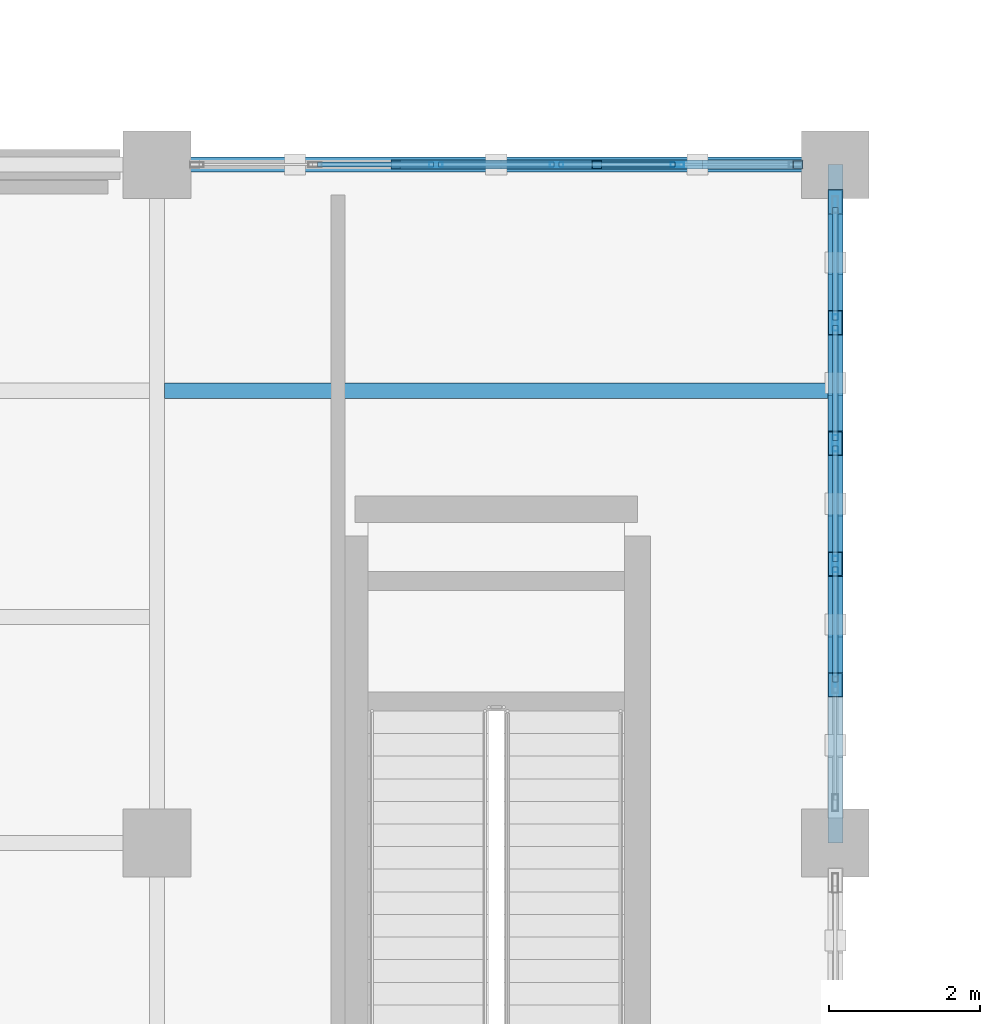
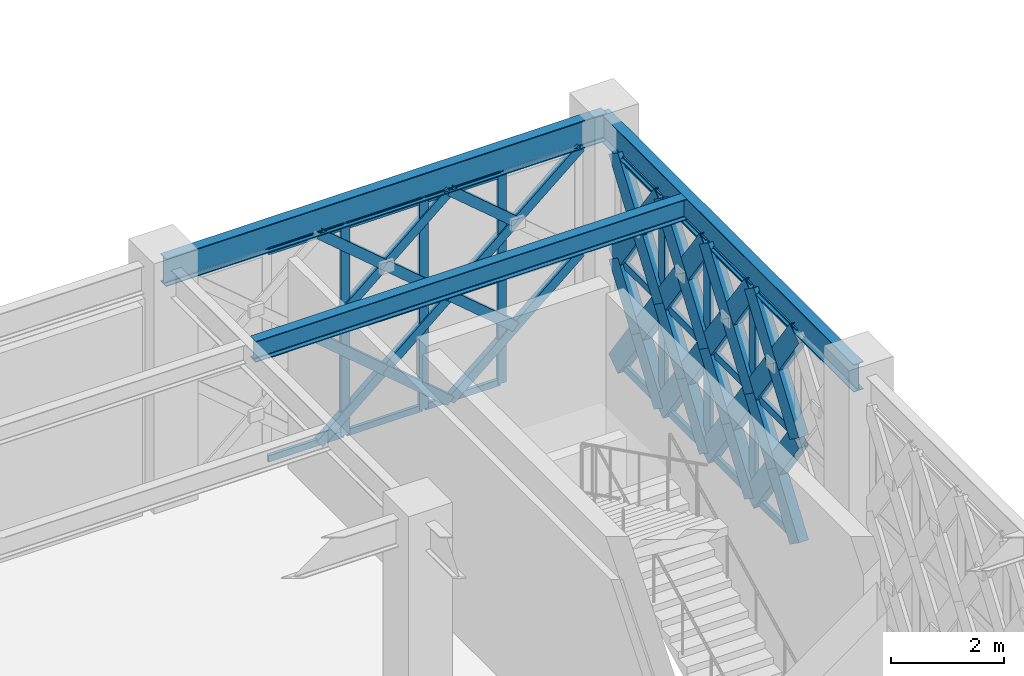
# One storey, part 25 of 166: 61 members, 3 beams, 2 elements without a shape of their own.
"""IFC4 building model written with IfcOpenShell, lengths in metres."""

from ifc_helpers import new_model, si_unit, direction, frame, origin, origin_2d, place, context, subcontext, project, spatial, hollow_rectangle, i_section, extrude, material, material_profile, profile_set, type_object, element, aggregate, save


model = new_model("IFC4")

# Units and contexts
model_context = context("Model", 3, precision=1e-05, world=origin(), true_north=direction((0.0, 1.0)))
body_context = subcontext(model_context, "Body", "Model", "MODEL_VIEW")
ifc_project = project(units=[si_unit("LENGTHUNIT", "METRE"), si_unit("AREAUNIT", "SQUARE_METRE"), si_unit("VOLUMEUNIT", "CUBIC_METRE"), si_unit("PLANEANGLEUNIT", "RADIAN"), si_unit("MASSUNIT", "GRAM", prefix="KILO")], contexts=[model_context])

# Site, building, storey
site_placement = place(None, origin())
site = spatial("IfcSite", under=ifc_project, at=site_placement, CompositionType="ELEMENT")
building_placement = place(site_placement, origin())
building = spatial("IfcBuilding", under=site, at=building_placement, Name="Haizhuo Lancet Aquarium", CompositionType="ELEMENT")
storey_placement = place(building_placement, frame((0.0, 0.0, 5.39990234375)))
storey = spatial("IfcBuildingStorey", under=building, at=storey_placement, Name="L01", CompositionType="ELEMENT", Elevation=5.39990234375)

# Beams
ifc_material_1 = material(Name="Steel S355", Category="steel")
ifc_material_profile_1 = material_profile(ifc_material_1, i_section(OverallWidth=0.199951171875, OverallDepth=0.60009765625, WebThickness=0.010986328125, FlangeThickness=0.01708984375, FilletRadius=0.02197265625, at=origin_2d()), Name="HN 600x200x11x17")
ifc_profile_set_1 = profile_set([ifc_material_profile_1], Name="Steel S355")
beam_type_1 = type_object("IfcBeamType", Name="BM-ST-HN600", PredefinedType="BEAM", material=ifc_profile_set_1)
for number, where, z_axis, x_axis, name in (
    (1, (-45.0, -9.0, 4.840087890625), (1.0, 0.0, 0.0), (0.0, 1.0, 0.0), "L01 V6 primary girder BM-L01-V6-026"),
    (2, (-36.0, -18.0, 4.840087890625), (0.0, 1.0, 0.0), (-1.0, 0.0, 0.0), "L01 V6 primary girder BM-L01-V6-029"),
):
    element("IfcBeam", number, at=place(storey_placement, frame(where, z_axis=z_axis, x_axis=x_axis)), inside=storey, type_object=beam_type_1, Name=name, PredefinedType="BEAM", context=body_context, shape_type="SweptSolid", body=[
        extrude(i_section(OverallWidth=0.199951171875, OverallDepth=0.60009765625, WebThickness=0.010986328125, FlangeThickness=0.01708984375, FilletRadius=0.02197265625, at=origin_2d()), origin(), (0.0, 0.0, 1.0), 9.0),
    ])

# Curtain wall, members
ifc_material_2 = material(Name="Aluminium 6063-T6", Category="aluminium")
curtain_wall_type_1 = type_object("IfcCurtainWallType", Name="CWO-8010x4540", PredefinedType="NOTDEFINED", material=ifc_material_2)
curtain_wall_1_placement = place(storey_placement, origin())
curtain_wall_1 = element("IfcCurtainWall", 3, at=curtain_wall_1_placement, inside=storey, type_object=curtain_wall_type_1, Name="L01 curtain wall CW-V6-L01-205", PredefinedType="NOTDEFINED")
ifc_material_profile_2 = material_profile(ifc_material_2, hollow_rectangle(XDim=0.06494140625, YDim=0.179931640625, WallThickness=0.00390625, at=origin_2d()), Name="ALU-M 65x180x4")
ifc_profile_set_2 = profile_set([ifc_material_profile_2], Name="Aluminium 6063-T6")
member_type_1 = type_object("IfcMemberType", Name="CW-MUL-1", PredefinedType="MULLION", material=ifc_profile_set_2)
member_1_placement = place(storey_placement, frame((-41.301025390625, -9.0, 0.0), z_axis=(0.0, 0.0, 1.0), x_axis=(0.0, 1.0, 0.0)))
member_1 = element("IfcMember", 4, at=member_1_placement, type_object=member_type_1, Name="CWO-80x45 mullion 3", PredefinedType="MULLION", context=body_context, shape_type="SweptSolid", body=[
    extrude(hollow_rectangle(XDim=0.06494140625, YDim=0.179931640625, WallThickness=0.00390625, at=origin_2d()), origin(), (0.0, 0.0, 1.0), 4.5400390625),
])
member_2_placement = place(storey_placement, frame((-39.698974609375, -9.0, 0.0), z_axis=(0.0, 0.0, 1.0), x_axis=(0.0, 1.0, 0.0)))
member_2 = element("IfcMember", 5, at=member_2_placement, type_object=member_type_1, Name="CWO-80x45 mullion 4", PredefinedType="MULLION", context=body_context, shape_type="SweptSolid", body=[
    extrude(hollow_rectangle(XDim=0.06494140625, YDim=0.179931640625, WallThickness=0.00390625, at=origin_2d()), origin(), (0.0, 0.0, 1.0), 4.5400390625),
])
member_3_placement = place(storey_placement, frame((-38.096923828125, -9.0, 0.0), z_axis=(0.0, 0.0, 1.0), x_axis=(0.0, 1.0, 0.0)))
member_3 = element("IfcMember", 6, at=member_3_placement, type_object=member_type_1, Name="CWO-80x45 mullion 5", PredefinedType="MULLION", context=body_context, shape_type="SweptSolid", body=[
    extrude(hollow_rectangle(XDim=0.06494140625, YDim=0.179931640625, WallThickness=0.00390625, at=origin_2d()), origin(), (0.0, 0.0, 1.0), 4.5400390625),
])

curtain_wall_type_2 = type_object("IfcCurtainWallType", Name="CWD-8010x4540", PredefinedType="NOTDEFINED", material=ifc_material_2)
curtain_wall_2_placement = place(storey_placement, origin())
curtain_wall_2 = element("IfcCurtainWall", 7, at=curtain_wall_2_placement, inside=storey, type_object=curtain_wall_type_2, Name="L01 curtain wall CW-V6-L01-206", PredefinedType="NOTDEFINED")
ifc_material_profile_3 = material_profile(ifc_material_2, hollow_rectangle(XDim=0.074951171875, YDim=0.219970703125, WallThickness=0.0048828125, at=origin_2d()), Name="ALU-M 75x220x5")
ifc_profile_set_3 = profile_set([ifc_material_profile_3], Name="Aluminium 6063-T6")
member_type_2 = type_object("IfcMemberType", Name="CW-MUL-2", PredefinedType="MULLION", material=ifc_profile_set_3)
member_4_placement = place(storey_placement, frame((-36.0, -11.096923828125, 0.0), z_axis=(0.0, 0.0, 1.0), x_axis=(1.0, 0.0, 0.0)))
member_4 = element("IfcMember", 8, at=member_4_placement, type_object=member_type_2, Name="CWD-80x45 mullion 2", PredefinedType="MULLION", context=body_context, shape_type="SweptSolid", body=[
    extrude(hollow_rectangle(XDim=0.074951171875, YDim=0.219970703125, WallThickness=0.0048828125, at=origin_2d()), origin(), (0.0, 0.0, 1.0), 4.5400390625),
])
member_5_placement = place(storey_placement, frame((-36.0, -12.698974609375, 0.0), z_axis=(0.0, 0.0, 1.0), x_axis=(1.0, 0.0, 0.0)))
member_5 = element("IfcMember", 9, at=member_5_placement, type_object=member_type_2, Name="CWD-80x45 mullion 3", PredefinedType="MULLION", context=body_context, shape_type="SweptSolid", body=[
    extrude(hollow_rectangle(XDim=0.074951171875, YDim=0.219970703125, WallThickness=0.0048828125, at=origin_2d()), origin(), (0.0, 0.0, 1.0), 4.5400390625),
])
member_6_placement = place(storey_placement, frame((-36.0, -14.301025390625, 0.0), z_axis=(0.0, 0.0, 1.0), x_axis=(1.0, 0.0, 0.0)))
member_6 = element("IfcMember", 10, at=member_6_placement, type_object=member_type_2, Name="CWD-80x45 mullion 4", PredefinedType="MULLION", context=body_context, shape_type="SweptSolid", body=[
    extrude(hollow_rectangle(XDim=0.074951171875, YDim=0.219970703125, WallThickness=0.0048828125, at=origin_2d()), origin(), (0.0, 0.0, 1.0), 4.5400390625),
])

# Member
ifc_material_profile_4 = material_profile(ifc_material_2, hollow_rectangle(XDim=0.06494140625, YDim=0.139892578125, WallThickness=0.00390625, at=origin_2d()), Name="ALU-T 65x140x4")
ifc_profile_set_4 = profile_set([ifc_material_profile_4], Name="Aluminium 6063-T6")
member_type_3 = type_object("IfcMemberType", Name="CW-TRN-1", PredefinedType="NOTDEFINED", material=ifc_profile_set_4)
member_7_placement = place(storey_placement, frame((-42.8701171875, -9.0, 0.033203125), z_axis=(1.0, 0.0, 0.0), x_axis=(0.0, 1.0, 0.0)))
member_7 = element("IfcMember", 11, at=member_7_placement, type_object=member_type_3, Name="CWO-80x45 transom 2.1", ObjectType="TRANSOM", PredefinedType="USERDEFINED", context=body_context, shape_type="SweptSolid", body=[
    extrude(hollow_rectangle(XDim=0.06494140625, YDim=0.139892578125, WallThickness=0.00390625, at=origin_2d()), origin(), (0.0, 0.0, 1.0), 1.5361328125),
])

member_8_placement = place(storey_placement, frame((-42.8701171875, -9.0, 2.27001953125), z_axis=(1.0, 0.0, 0.0), x_axis=(0.0, 1.0, 0.0)))
member_8 = element("IfcMember", 12, at=member_8_placement, type_object=member_type_3, Name="CWO-80x45 transom 2.2", ObjectType="TRANSOM", PredefinedType="USERDEFINED", context=body_context, shape_type="SweptSolid", body=[
    extrude(hollow_rectangle(XDim=0.06494140625, YDim=0.139892578125, WallThickness=0.00390625, at=origin_2d()), origin(), (0.0, 0.0, 1.0), 1.5361328125),
])

member_9_placement = place(storey_placement, frame((-42.8701171875, -9.0, 4.507080078125), z_axis=(1.0, 0.0, 0.0), x_axis=(0.0, 1.0, 0.0)))
member_9 = element("IfcMember", 13, at=member_9_placement, type_object=member_type_3, Name="CWO-80x45 transom 2.3", ObjectType="TRANSOM", PredefinedType="USERDEFINED", context=body_context, shape_type="SweptSolid", body=[
    extrude(hollow_rectangle(XDim=0.06494140625, YDim=0.139892578125, WallThickness=0.00390625, at=origin_2d()), origin(), (0.0, 0.0, 1.0), 1.5361328125),
])

member_10_placement = place(storey_placement, frame((-41.26904296875, -9.0, 0.033203125), z_axis=(1.0, 0.0, 0.0), x_axis=(0.0, 1.0, 0.0)))
member_10 = element("IfcMember", 14, at=member_10_placement, type_object=member_type_3, Name="CWO-80x45 transom 3.1", ObjectType="TRANSOM", PredefinedType="USERDEFINED", context=body_context, shape_type="SweptSolid", body=[
    extrude(hollow_rectangle(XDim=0.06494140625, YDim=0.139892578125, WallThickness=0.00390625, at=origin_2d()), origin(), (0.0, 0.0, 1.0), 1.5380859375),
])

member_11_placement = place(storey_placement, frame((-41.26904296875, -9.0, 2.27001953125), z_axis=(1.0, 0.0, 0.0), x_axis=(0.0, 1.0, 0.0)))
member_11 = element("IfcMember", 15, at=member_11_placement, type_object=member_type_3, Name="CWO-80x45 transom 3.2", ObjectType="TRANSOM", PredefinedType="USERDEFINED", context=body_context, shape_type="SweptSolid", body=[
    extrude(hollow_rectangle(XDim=0.06494140625, YDim=0.139892578125, WallThickness=0.00390625, at=origin_2d()), origin(), (0.0, 0.0, 1.0), 1.5380859375),
])

member_12_placement = place(storey_placement, frame((-41.26904296875, -9.0, 4.507080078125), z_axis=(1.0, 0.0, 0.0), x_axis=(0.0, 1.0, 0.0)))
member_12 = element("IfcMember", 16, at=member_12_placement, type_object=member_type_3, Name="CWO-80x45 transom 3.3", ObjectType="TRANSOM", PredefinedType="USERDEFINED", context=body_context, shape_type="SweptSolid", body=[
    extrude(hollow_rectangle(XDim=0.06494140625, YDim=0.139892578125, WallThickness=0.00390625, at=origin_2d()), origin(), (0.0, 0.0, 1.0), 1.5380859375),
])

member_13_placement = place(storey_placement, frame((-39.666015625, -9.0, 0.033203125), z_axis=(1.0, 0.0, 0.0), x_axis=(0.0, 1.0, 0.0)))
member_13 = element("IfcMember", 17, at=member_13_placement, type_object=member_type_3, Name="CWO-80x45 transom 4.1", ObjectType="TRANSOM", PredefinedType="USERDEFINED", context=body_context, shape_type="SweptSolid", body=[
    extrude(hollow_rectangle(XDim=0.06494140625, YDim=0.139892578125, WallThickness=0.00390625, at=origin_2d()), origin(), (0.0, 0.0, 1.0), 1.5361328125),
])

member_14_placement = place(storey_placement, frame((-39.666015625, -9.0, 2.27001953125), z_axis=(1.0, 0.0, 0.0), x_axis=(0.0, 1.0, 0.0)))
member_14 = element("IfcMember", 18, at=member_14_placement, type_object=member_type_3, Name="CWO-80x45 transom 4.2", ObjectType="TRANSOM", PredefinedType="USERDEFINED", context=body_context, shape_type="SweptSolid", body=[
    extrude(hollow_rectangle(XDim=0.06494140625, YDim=0.139892578125, WallThickness=0.00390625, at=origin_2d()), origin(), (0.0, 0.0, 1.0), 1.5361328125),
])

member_15_placement = place(storey_placement, frame((-39.666015625, -9.0, 4.507080078125), z_axis=(1.0, 0.0, 0.0), x_axis=(0.0, 1.0, 0.0)))
member_15 = element("IfcMember", 19, at=member_15_placement, type_object=member_type_3, Name="CWO-80x45 transom 4.3", ObjectType="TRANSOM", PredefinedType="USERDEFINED", context=body_context, shape_type="SweptSolid", body=[
    extrude(hollow_rectangle(XDim=0.06494140625, YDim=0.139892578125, WallThickness=0.00390625, at=origin_2d()), origin(), (0.0, 0.0, 1.0), 1.5361328125),
])

aggregate(curtain_wall_1, [member_1, member_2, member_3, member_7, member_8, member_9, member_10, member_11, member_12, member_13, member_14, member_15])

ifc_material_profile_5 = material_profile(ifc_material_2, hollow_rectangle(XDim=0.074951171875, YDim=0.159912109375, WallThickness=0.00390625, at=origin_2d()), Name="ALU-T 75x160x4")
ifc_profile_set_5 = profile_set([ifc_material_profile_5], Name="Aluminium 6063-T6")
member_type_4 = type_object("IfcMemberType", Name="CW-TRN-2", PredefinedType="NOTDEFINED", material=ifc_profile_set_5)
member_16_placement = place(storey_placement, frame((-36.0, -9.570068359375, 0.0380859375), z_axis=(0.0, -1.0, 0.0), x_axis=(1.0, 0.0, 0.0)))
member_16 = element("IfcMember", 20, at=member_16_placement, type_object=member_type_4, Name="CWD-80x45 transom 1.1", ObjectType="TRANSOM", PredefinedType="USERDEFINED", context=body_context, shape_type="SweptSolid", body=[
    extrude(hollow_rectangle(XDim=0.074951171875, YDim=0.159912109375, WallThickness=0.00390625, at=origin_2d()), origin(), (0.0, 0.0, 1.0), 1.489013671875),
])

member_17_placement = place(storey_placement, frame((-36.0, -9.570068359375, 2.27001953125), z_axis=(0.0, -1.0, 0.0), x_axis=(1.0, 0.0, 0.0)))
member_17 = element("IfcMember", 21, at=member_17_placement, type_object=member_type_4, Name="CWD-80x45 transom 1.2", ObjectType="TRANSOM", PredefinedType="USERDEFINED", context=body_context, shape_type="SweptSolid", body=[
    extrude(hollow_rectangle(XDim=0.074951171875, YDim=0.159912109375, WallThickness=0.00390625, at=origin_2d()), origin(), (0.0, 0.0, 1.0), 1.489013671875),
])

member_18_placement = place(storey_placement, frame((-36.0, -9.570068359375, 4.502197265625), z_axis=(0.0, -1.0, 0.0), x_axis=(1.0, 0.0, 0.0)))
member_18 = element("IfcMember", 22, at=member_18_placement, type_object=member_type_4, Name="CWD-80x45 transom 1.3", ObjectType="TRANSOM", PredefinedType="USERDEFINED", context=body_context, shape_type="SweptSolid", body=[
    extrude(hollow_rectangle(XDim=0.074951171875, YDim=0.159912109375, WallThickness=0.00390625, at=origin_2d()), origin(), (0.0, 0.0, 1.0), 1.489013671875),
])

member_19_placement = place(storey_placement, frame((-36.0, -11.134033203125, 0.0380859375), z_axis=(0.0, -1.0, 0.0), x_axis=(1.0, 0.0, 0.0)))
member_19 = element("IfcMember", 23, at=member_19_placement, type_object=member_type_4, Name="CWD-80x45 transom 2.1", ObjectType="TRANSOM", PredefinedType="USERDEFINED", context=body_context, shape_type="SweptSolid", body=[
    extrude(hollow_rectangle(XDim=0.074951171875, YDim=0.159912109375, WallThickness=0.00390625, at=origin_2d()), origin(), (0.0, 0.0, 1.0), 1.52685546875),
])

member_20_placement = place(storey_placement, frame((-36.0, -11.134033203125, 2.27001953125), z_axis=(0.0, -1.0, 0.0), x_axis=(1.0, 0.0, 0.0)))
member_20 = element("IfcMember", 24, at=member_20_placement, type_object=member_type_4, Name="CWD-80x45 transom 2.2", ObjectType="TRANSOM", PredefinedType="USERDEFINED", context=body_context, shape_type="SweptSolid", body=[
    extrude(hollow_rectangle(XDim=0.074951171875, YDim=0.159912109375, WallThickness=0.00390625, at=origin_2d()), origin(), (0.0, 0.0, 1.0), 1.52685546875),
])

member_21_placement = place(storey_placement, frame((-36.0, -11.134033203125, 4.502197265625), z_axis=(0.0, -1.0, 0.0), x_axis=(1.0, 0.0, 0.0)))
member_21 = element("IfcMember", 25, at=member_21_placement, type_object=member_type_4, Name="CWD-80x45 transom 2.3", ObjectType="TRANSOM", PredefinedType="USERDEFINED", context=body_context, shape_type="SweptSolid", body=[
    extrude(hollow_rectangle(XDim=0.074951171875, YDim=0.159912109375, WallThickness=0.00390625, at=origin_2d()), origin(), (0.0, 0.0, 1.0), 1.52685546875),
])

member_22_placement = place(storey_placement, frame((-36.0, -12.736083984375, 0.0380859375), z_axis=(0.0, -1.0, 0.0), x_axis=(1.0, 0.0, 0.0)))
member_22 = element("IfcMember", 26, at=member_22_placement, type_object=member_type_4, Name="CWD-80x45 transom 3.1", ObjectType="TRANSOM", PredefinedType="USERDEFINED", context=body_context, shape_type="SweptSolid", body=[
    extrude(hollow_rectangle(XDim=0.074951171875, YDim=0.159912109375, WallThickness=0.00390625, at=origin_2d()), origin(), (0.0, 0.0, 1.0), 1.52685546875),
])

member_23_placement = place(storey_placement, frame((-36.0, -12.736083984375, 2.27001953125), z_axis=(0.0, -1.0, 0.0), x_axis=(1.0, 0.0, 0.0)))
member_23 = element("IfcMember", 27, at=member_23_placement, type_object=member_type_4, Name="CWD-80x45 transom 3.2", ObjectType="TRANSOM", PredefinedType="USERDEFINED", context=body_context, shape_type="SweptSolid", body=[
    extrude(hollow_rectangle(XDim=0.074951171875, YDim=0.159912109375, WallThickness=0.00390625, at=origin_2d()), origin(), (0.0, 0.0, 1.0), 1.52685546875),
])

member_24_placement = place(storey_placement, frame((-36.0, -12.736083984375, 4.502197265625), z_axis=(0.0, -1.0, 0.0), x_axis=(1.0, 0.0, 0.0)))
member_24 = element("IfcMember", 28, at=member_24_placement, type_object=member_type_4, Name="CWD-80x45 transom 3.3", ObjectType="TRANSOM", PredefinedType="USERDEFINED", context=body_context, shape_type="SweptSolid", body=[
    extrude(hollow_rectangle(XDim=0.074951171875, YDim=0.159912109375, WallThickness=0.00390625, at=origin_2d()), origin(), (0.0, 0.0, 1.0), 1.52685546875),
])

member_25_placement = place(storey_placement, frame((-36.0, -14.337890625, 0.0380859375), z_axis=(0.0, -1.0, 0.0), x_axis=(1.0, 0.0, 0.0)))
member_25 = element("IfcMember", 29, at=member_25_placement, type_object=member_type_4, Name="CWD-80x45 transom 4.1", ObjectType="TRANSOM", PredefinedType="USERDEFINED", context=body_context, shape_type="SweptSolid", body=[
    extrude(hollow_rectangle(XDim=0.074951171875, YDim=0.159912109375, WallThickness=0.00390625, at=origin_2d()), origin(), (0.0, 0.0, 1.0), 1.527099609375),
])

member_26_placement = place(storey_placement, frame((-36.0, -14.337890625, 2.27001953125), z_axis=(0.0, -1.0, 0.0), x_axis=(1.0, 0.0, 0.0)))
member_26 = element("IfcMember", 30, at=member_26_placement, type_object=member_type_4, Name="CWD-80x45 transom 4.2", ObjectType="TRANSOM", PredefinedType="USERDEFINED", context=body_context, shape_type="SweptSolid", body=[
    extrude(hollow_rectangle(XDim=0.074951171875, YDim=0.159912109375, WallThickness=0.00390625, at=origin_2d()), origin(), (0.0, 0.0, 1.0), 1.527099609375),
])

member_27_placement = place(storey_placement, frame((-36.0, -14.337890625, 4.502197265625), z_axis=(0.0, -1.0, 0.0), x_axis=(1.0, 0.0, 0.0)))
member_27 = element("IfcMember", 31, at=member_27_placement, type_object=member_type_4, Name="CWD-80x45 transom 4.3", ObjectType="TRANSOM", PredefinedType="USERDEFINED", context=body_context, shape_type="SweptSolid", body=[
    extrude(hollow_rectangle(XDim=0.074951171875, YDim=0.159912109375, WallThickness=0.00390625, at=origin_2d()), origin(), (0.0, 0.0, 1.0), 1.527099609375),
])

aggregate(curtain_wall_2, [member_4, member_5, member_6, member_16, member_17, member_18, member_19, member_20, member_21, member_22, member_23, member_24, member_25, member_26, member_27])

# Beam
ifc_material_profile_6 = material_profile(ifc_material_1, i_section(OverallWidth=0.199951171875, OverallDepth=0.449951171875, WebThickness=0.009033203125, FlangeThickness=0.013916015625, FilletRadius=0.01806640625, at=origin_2d()), Name="HN 450x200x9x14")
ifc_profile_set_6 = profile_set([ifc_material_profile_6], Name="Steel S355")
beam_type_2 = type_object("IfcBeamType", Name="JST-ST-HN450", PredefinedType="JOIST", material=ifc_profile_set_6)
beam_placement = place(storey_placement, frame((-44.89990234375, -12.0, 4.9150390625), z_axis=(1.0, 0.0, 0.0), x_axis=(0.0, 1.0, 0.0)))
element("IfcBeam", 32, at=beam_placement, inside=storey, type_object=beam_type_2, Name="L01 V6 secondary floor joist 19", PredefinedType="JOIST", context=body_context, shape_type="SweptSolid", body=[
    extrude(i_section(OverallWidth=0.199951171875, OverallDepth=0.449951171875, WebThickness=0.009033203125, FlangeThickness=0.013916015625, FilletRadius=0.01806640625, at=origin_2d()), origin(), (0.0, 0.0, 1.0), 8.7998046875),
])

# Members
ifc_material_profile_7 = material_profile(ifc_material_1, hollow_rectangle(XDim=0.1201171875, YDim=0.199951171875, WallThickness=0.008056640625, at=origin_2d()), Name="RHS 120x200x8")
ifc_profile_set_7 = profile_set([ifc_material_profile_7], Name="Steel S355")
member_type_5 = type_object("IfcMemberType", Name="MEM-LB-RHS120x200", PredefinedType="BRACE", material=ifc_profile_set_7)
member_28_placement = place(storey_placement, frame((-41.8349609375, -9.0, 0.0), z_axis=(0.761856805528, 0.0, 0.647745480779), x_axis=(0.0, 1.0, 0.0)))
element("IfcMember", 33, at=member_28_placement, inside=storey, type_object=member_type_5, Name="Gothic lancet continuous diagonal brace CW-V6-L01-205 3A", PredefinedType="BRACE", context=body_context, shape_type="SweptSolid", body=[
    extrude(hollow_rectangle(XDim=0.1201171875, YDim=0.199951171875, WallThickness=0.008056640625, at=origin_2d()), origin(), (0.0, 0.0, 1.0), 3.50439453125),
])
for number, where, z_axis, x_axis, name in (
    (34, (-39.1650390625, -9.0, 0.0), (-0.761856805528, 0.0, 0.647745480779), (0.0, -1.0, 0.0), "Gothic lancet split diagonal brace CW-V6-L01-205 3B1"),
    (35, (-40.5, -9.0, 1.135009765625), (-0.761856805528, 0.0, 0.647745480779), (0.0, -1.0, 0.0), "Gothic lancet split diagonal brace CW-V6-L01-205 3B2"),
):
    element("IfcMember", number, at=place(storey_placement, frame(where, z_axis=z_axis, x_axis=x_axis)), inside=storey, type_object=member_type_5, Name=name, PredefinedType="BRACE", context=body_context, shape_type="SweptSolid", body=[
        extrude(hollow_rectangle(XDim=0.1201171875, YDim=0.199951171875, WallThickness=0.008056640625, at=origin_2d()), origin(), (0.0, 0.0, 1.0), 1.752197265625),
    ])
member_29_placement = place(storey_placement, frame((-41.8349609375, -9.0, 2.27001953125), z_axis=(0.761856805528, 0.0, 0.647745480779), x_axis=(0.0, 1.0, 0.0)))
element("IfcMember", 36, at=member_29_placement, inside=storey, type_object=member_type_5, Name="Gothic lancet continuous diagonal brace CW-V6-L01-205 4A", PredefinedType="BRACE", context=body_context, shape_type="SweptSolid", body=[
    extrude(hollow_rectangle(XDim=0.1201171875, YDim=0.199951171875, WallThickness=0.008056640625, at=origin_2d()), origin(), (0.0, 0.0, 1.0), 3.50439453125),
])
for number, where, z_axis, x_axis, name in (
    (37, (-39.1650390625, -9.0, 2.27001953125), (-0.761856805528, 0.0, 0.647745480779), (0.0, -1.0, 0.0), "Gothic lancet split diagonal brace CW-V6-L01-205 4B1"),
    (38, (-40.5, -9.0, 3.405029296875), (-0.761856805528, 0.0, 0.647745480779), (0.0, -1.0, 0.0), "Gothic lancet split diagonal brace CW-V6-L01-205 4B2"),
):
    element("IfcMember", number, at=place(storey_placement, frame(where, z_axis=z_axis, x_axis=x_axis)), inside=storey, type_object=member_type_5, Name=name, PredefinedType="BRACE", context=body_context, shape_type="SweptSolid", body=[
        extrude(hollow_rectangle(XDim=0.1201171875, YDim=0.199951171875, WallThickness=0.008056640625, at=origin_2d()), origin(), (0.0, 0.0, 1.0), 1.752197265625),
    ])
member_30_placement = place(storey_placement, frame((-39.1650390625, -9.0, 0.0), z_axis=(0.761856805528, 0.0, 0.647745480779), x_axis=(0.0, 1.0, 0.0)))
element("IfcMember", 39, at=member_30_placement, inside=storey, type_object=member_type_5, Name="Gothic lancet continuous diagonal brace CW-V6-L01-205 5A", PredefinedType="BRACE", context=body_context, shape_type="SweptSolid", body=[
    extrude(hollow_rectangle(XDim=0.1201171875, YDim=0.199951171875, WallThickness=0.008056640625, at=origin_2d()), origin(), (0.0, 0.0, 1.0), 3.50439453125),
])
member_31_placement = place(storey_placement, frame((-37.830078125, -9.0, 1.135009765625), z_axis=(-0.761856805528, 0.0, 0.647745480779), x_axis=(0.0, -1.0, 0.0)))
element("IfcMember", 40, at=member_31_placement, inside=storey, type_object=member_type_5, Name="Gothic lancet split diagonal brace CW-V6-L01-205 5B2", PredefinedType="BRACE", context=body_context, shape_type="SweptSolid", body=[
    extrude(hollow_rectangle(XDim=0.1201171875, YDim=0.199951171875, WallThickness=0.008056640625, at=origin_2d()), origin(), (0.0, 0.0, 1.0), 1.752197265625),
])
member_32_placement = place(storey_placement, frame((-39.1650390625, -9.0, 2.27001953125), z_axis=(0.761856805528, 0.0, 0.647745480779), x_axis=(0.0, 1.0, 0.0)))
element("IfcMember", 41, at=member_32_placement, inside=storey, type_object=member_type_5, Name="Gothic lancet continuous diagonal brace CW-V6-L01-205 6A", PredefinedType="BRACE", context=body_context, shape_type="SweptSolid", body=[
    extrude(hollow_rectangle(XDim=0.1201171875, YDim=0.199951171875, WallThickness=0.008056640625, at=origin_2d()), origin(), (0.0, 0.0, 1.0), 3.50439453125),
])
member_33_placement = place(storey_placement, frame((-37.830078125, -9.0, 3.405029296875), z_axis=(-0.761856805528, 0.0, 0.647745480779), x_axis=(0.0, -1.0, 0.0)))
element("IfcMember", 42, at=member_33_placement, inside=storey, type_object=member_type_5, Name="Gothic lancet split diagonal brace CW-V6-L01-205 6B2", PredefinedType="BRACE", context=body_context, shape_type="SweptSolid", body=[
    extrude(hollow_rectangle(XDim=0.1201171875, YDim=0.199951171875, WallThickness=0.008056640625, at=origin_2d()), origin(), (0.0, 0.0, 1.0), 1.752197265625),
])
ifc_material_profile_8 = material_profile(ifc_material_1, hollow_rectangle(XDim=0.199951171875, YDim=0.39990234375, WallThickness=0.011962890625, at=origin_2d()), Name="RHS 200x400x12")
ifc_profile_set_8 = profile_set([ifc_material_profile_8], Name="Steel S355")
member_type_6 = type_object("IfcMemberType", Name="MEM-LB-RHS200x400", PredefinedType="BRACE", material=ifc_profile_set_8)
member_34_placement = place(storey_placement, frame((-36.0, -9.4951171875, 0.0), z_axis=(0.0, -0.576548637348, 0.81706283037), x_axis=(1.0, 0.0, 0.0)))
element("IfcMember", 43, at=member_34_placement, inside=storey, type_object=member_type_6, Name="Gothic lancet continuous diagonal brace CW-V6-L01-206 1A", PredefinedType="BRACE", context=body_context, shape_type="SweptSolid", body=[
    extrude(hollow_rectangle(XDim=0.199951171875, YDim=0.39990234375, WallThickness=0.011962890625, at=origin_2d()), origin(), (0.0, 0.0, 1.0), 2.7783203125),
])
for number, where, z_axis, x_axis, name in (
    (44, (-36.0, -11.096923828125, 0.0), (0.0, 0.576607297585, 0.817021434463), (-1.0, 0.0, 0.0), "Gothic lancet split diagonal brace CW-V6-L01-206 1B1"),
    (45, (-36.0, -10.2958984375, 1.135009765625), (0.0, 0.576489968194, 0.81710422626), (-1.0, 0.0, 0.0), "Gothic lancet split diagonal brace CW-V6-L01-206 1B2"),
):
    element("IfcMember", number, at=place(storey_placement, frame(where, z_axis=z_axis, x_axis=x_axis)), inside=storey, type_object=member_type_6, Name=name, PredefinedType="BRACE", context=body_context, shape_type="SweptSolid", body=[
        extrude(hollow_rectangle(XDim=0.199951171875, YDim=0.39990234375, WallThickness=0.011962890625, at=origin_2d()), origin(), (0.0, 0.0, 1.0), 1.38916015625),
    ])
member_35_placement = place(storey_placement, frame((-36.0, -9.4951171875, 2.27001953125), z_axis=(0.0, -0.576548637348, 0.81706283037), x_axis=(1.0, 0.0, 0.0)))
element("IfcMember", 46, at=member_35_placement, inside=storey, type_object=member_type_6, Name="Gothic lancet continuous diagonal brace CW-V6-L01-206 2A", PredefinedType="BRACE", context=body_context, shape_type="SweptSolid", body=[
    extrude(hollow_rectangle(XDim=0.199951171875, YDim=0.39990234375, WallThickness=0.011962890625, at=origin_2d()), origin(), (0.0, 0.0, 1.0), 2.7783203125),
])
for number, where, z_axis, x_axis, name in (
    (47, (-36.0, -11.096923828125, 2.27001953125), (0.0, 0.576607297585, 0.817021434463), (-1.0, 0.0, 0.0), "Gothic lancet split diagonal brace CW-V6-L01-206 2B1"),
    (48, (-36.0, -10.2958984375, 3.405029296875), (0.0, 0.576489968194, 0.81710422626), (-1.0, 0.0, 0.0), "Gothic lancet split diagonal brace CW-V6-L01-206 2B2"),
):
    element("IfcMember", number, at=place(storey_placement, frame(where, z_axis=z_axis, x_axis=x_axis)), inside=storey, type_object=member_type_6, Name=name, PredefinedType="BRACE", context=body_context, shape_type="SweptSolid", body=[
        extrude(hollow_rectangle(XDim=0.199951171875, YDim=0.39990234375, WallThickness=0.011962890625, at=origin_2d()), origin(), (0.0, 0.0, 1.0), 1.38916015625),
    ])
member_36_placement = place(storey_placement, frame((-36.0, -11.096923828125, 0.0), z_axis=(0.0, -0.576607297585, 0.817021434463), x_axis=(1.0, 0.0, 0.0)))
element("IfcMember", 49, at=member_36_placement, inside=storey, type_object=member_type_6, Name="Gothic lancet continuous diagonal brace CW-V6-L01-206 3A", PredefinedType="BRACE", context=body_context, shape_type="SweptSolid", body=[
    extrude(hollow_rectangle(XDim=0.199951171875, YDim=0.39990234375, WallThickness=0.011962890625, at=origin_2d()), origin(), (0.0, 0.0, 1.0), 2.7783203125),
])
for number, where, z_axis, x_axis, name in (
    (50, (-36.0, -12.698974609375, 0.0), (0.0, 0.576607297585, 0.817021434463), (-1.0, 0.0, 0.0), "Gothic lancet split diagonal brace CW-V6-L01-206 3B1"),
    (51, (-36.0, -11.89794921875, 1.135009765625), (0.0, 0.576607297585, 0.817021434463), (-1.0, 0.0, 0.0), "Gothic lancet split diagonal brace CW-V6-L01-206 3B2"),
):
    element("IfcMember", number, at=place(storey_placement, frame(where, z_axis=z_axis, x_axis=x_axis)), inside=storey, type_object=member_type_6, Name=name, PredefinedType="BRACE", context=body_context, shape_type="SweptSolid", body=[
        extrude(hollow_rectangle(XDim=0.199951171875, YDim=0.39990234375, WallThickness=0.011962890625, at=origin_2d()), origin(), (0.0, 0.0, 1.0), 1.38916015625),
    ])
member_37_placement = place(storey_placement, frame((-36.0, -11.096923828125, 2.27001953125), z_axis=(0.0, -0.576607297585, 0.817021434463), x_axis=(1.0, 0.0, 0.0)))
element("IfcMember", 52, at=member_37_placement, inside=storey, type_object=member_type_6, Name="Gothic lancet continuous diagonal brace CW-V6-L01-206 4A", PredefinedType="BRACE", context=body_context, shape_type="SweptSolid", body=[
    extrude(hollow_rectangle(XDim=0.199951171875, YDim=0.39990234375, WallThickness=0.011962890625, at=origin_2d()), origin(), (0.0, 0.0, 1.0), 2.7783203125),
])
for number, where, z_axis, x_axis, name in (
    (53, (-36.0, -12.698974609375, 2.27001953125), (0.0, 0.576607297585, 0.817021434463), (-1.0, 0.0, 0.0), "Gothic lancet split diagonal brace CW-V6-L01-206 4B1"),
    (54, (-36.0, -11.89794921875, 3.405029296875), (0.0, 0.576607297585, 0.817021434463), (-1.0, 0.0, 0.0), "Gothic lancet split diagonal brace CW-V6-L01-206 4B2"),
):
    element("IfcMember", number, at=place(storey_placement, frame(where, z_axis=z_axis, x_axis=x_axis)), inside=storey, type_object=member_type_6, Name=name, PredefinedType="BRACE", context=body_context, shape_type="SweptSolid", body=[
        extrude(hollow_rectangle(XDim=0.199951171875, YDim=0.39990234375, WallThickness=0.011962890625, at=origin_2d()), origin(), (0.0, 0.0, 1.0), 1.38916015625),
    ])
member_38_placement = place(storey_placement, frame((-36.0, -12.698974609375, 0.0), z_axis=(0.0, -0.576607297585, 0.817021434463), x_axis=(1.0, 0.0, 0.0)))
element("IfcMember", 55, at=member_38_placement, inside=storey, type_object=member_type_6, Name="Gothic lancet continuous diagonal brace CW-V6-L01-206 5A", PredefinedType="BRACE", context=body_context, shape_type="SweptSolid", body=[
    extrude(hollow_rectangle(XDim=0.199951171875, YDim=0.39990234375, WallThickness=0.011962890625, at=origin_2d()), origin(), (0.0, 0.0, 1.0), 2.7783203125),
])
for number, where, z_axis, x_axis, name in (
    (56, (-36.0, -14.301025390625, 0.0), (0.0, 0.576607297585, 0.817021434463), (-1.0, 0.0, 0.0), "Gothic lancet split diagonal brace CW-V6-L01-206 5B1"),
    (57, (-36.0, -13.5, 1.135009765625), (0.0, 0.576607297585, 0.817021434463), (-1.0, 0.0, 0.0), "Gothic lancet split diagonal brace CW-V6-L01-206 5B2"),
):
    element("IfcMember", number, at=place(storey_placement, frame(where, z_axis=z_axis, x_axis=x_axis)), inside=storey, type_object=member_type_6, Name=name, PredefinedType="BRACE", context=body_context, shape_type="SweptSolid", body=[
        extrude(hollow_rectangle(XDim=0.199951171875, YDim=0.39990234375, WallThickness=0.011962890625, at=origin_2d()), origin(), (0.0, 0.0, 1.0), 1.38916015625),
    ])
member_39_placement = place(storey_placement, frame((-36.0, -12.698974609375, 2.27001953125), z_axis=(0.0, -0.576607297585, 0.817021434463), x_axis=(1.0, 0.0, 0.0)))
element("IfcMember", 58, at=member_39_placement, inside=storey, type_object=member_type_6, Name="Gothic lancet continuous diagonal brace CW-V6-L01-206 6A", PredefinedType="BRACE", context=body_context, shape_type="SweptSolid", body=[
    extrude(hollow_rectangle(XDim=0.199951171875, YDim=0.39990234375, WallThickness=0.011962890625, at=origin_2d()), origin(), (0.0, 0.0, 1.0), 2.7783203125),
])
for number, where, z_axis, x_axis, name in (
    (59, (-36.0, -14.301025390625, 2.27001953125), (0.0, 0.576607297585, 0.817021434463), (-1.0, 0.0, 0.0), "Gothic lancet split diagonal brace CW-V6-L01-206 6B1"),
    (60, (-36.0, -13.5, 3.405029296875), (0.0, 0.576607297585, 0.817021434463), (-1.0, 0.0, 0.0), "Gothic lancet split diagonal brace CW-V6-L01-206 6B2"),
):
    element("IfcMember", number, at=place(storey_placement, frame(where, z_axis=z_axis, x_axis=x_axis)), inside=storey, type_object=member_type_6, Name=name, PredefinedType="BRACE", context=body_context, shape_type="SweptSolid", body=[
        extrude(hollow_rectangle(XDim=0.199951171875, YDim=0.39990234375, WallThickness=0.011962890625, at=origin_2d()), origin(), (0.0, 0.0, 1.0), 1.38916015625),
    ])
member_40_placement = place(storey_placement, frame((-36.0, -14.301025390625, 0.0), z_axis=(0.0, -0.576607297585, 0.817021434463), x_axis=(1.0, 0.0, 0.0)))
element("IfcMember", 61, at=member_40_placement, inside=storey, type_object=member_type_6, Name="Gothic lancet continuous diagonal brace CW-V6-L01-206 7A", PredefinedType="BRACE", context=body_context, shape_type="SweptSolid", body=[
    extrude(hollow_rectangle(XDim=0.199951171875, YDim=0.39990234375, WallThickness=0.011962890625, at=origin_2d()), origin(), (0.0, 0.0, 1.0), 2.7783203125),
])
for number, where, z_axis, x_axis, name in (
    (62, (-36.0, -15.903076171875, 0.0), (0.0, 0.576607297585, 0.817021434463), (-1.0, 0.0, 0.0), "Gothic lancet split diagonal brace CW-V6-L01-206 7B1"),
    (63, (-36.0, -15.10205078125, 1.135009765625), (0.0, 0.576607297585, 0.817021434463), (-1.0, 0.0, 0.0), "Gothic lancet split diagonal brace CW-V6-L01-206 7B2"),
):
    element("IfcMember", number, at=place(storey_placement, frame(where, z_axis=z_axis, x_axis=x_axis)), inside=storey, type_object=member_type_6, Name=name, PredefinedType="BRACE", context=body_context, shape_type="SweptSolid", body=[
        extrude(hollow_rectangle(XDim=0.199951171875, YDim=0.39990234375, WallThickness=0.011962890625, at=origin_2d()), origin(), (0.0, 0.0, 1.0), 1.38916015625),
    ])
member_41_placement = place(storey_placement, frame((-36.0, -14.301025390625, 2.27001953125), z_axis=(0.0, -0.576607297585, 0.817021434463), x_axis=(1.0, 0.0, 0.0)))
element("IfcMember", 64, at=member_41_placement, inside=storey, type_object=member_type_6, Name="Gothic lancet continuous diagonal brace CW-V6-L01-206 8A", PredefinedType="BRACE", context=body_context, shape_type="SweptSolid", body=[
    extrude(hollow_rectangle(XDim=0.199951171875, YDim=0.39990234375, WallThickness=0.011962890625, at=origin_2d()), origin(), (0.0, 0.0, 1.0), 2.7783203125),
])
for number, where, z_axis, x_axis, name in (
    (65, (-36.0, -15.903076171875, 2.27001953125), (0.0, 0.576607297585, 0.817021434463), (-1.0, 0.0, 0.0), "Gothic lancet split diagonal brace CW-V6-L01-206 8B1"),
    (66, (-36.0, -15.10205078125, 3.405029296875), (0.0, 0.576607297585, 0.817021434463), (-1.0, 0.0, 0.0), "Gothic lancet split diagonal brace CW-V6-L01-206 8B2"),
):
    element("IfcMember", number, at=place(storey_placement, frame(where, z_axis=z_axis, x_axis=x_axis)), inside=storey, type_object=member_type_6, Name=name, PredefinedType="BRACE", context=body_context, shape_type="SweptSolid", body=[
        extrude(hollow_rectangle(XDim=0.199951171875, YDim=0.39990234375, WallThickness=0.011962890625, at=origin_2d()), origin(), (0.0, 0.0, 1.0), 1.38916015625),
    ])

save(model, "model.ifc")
